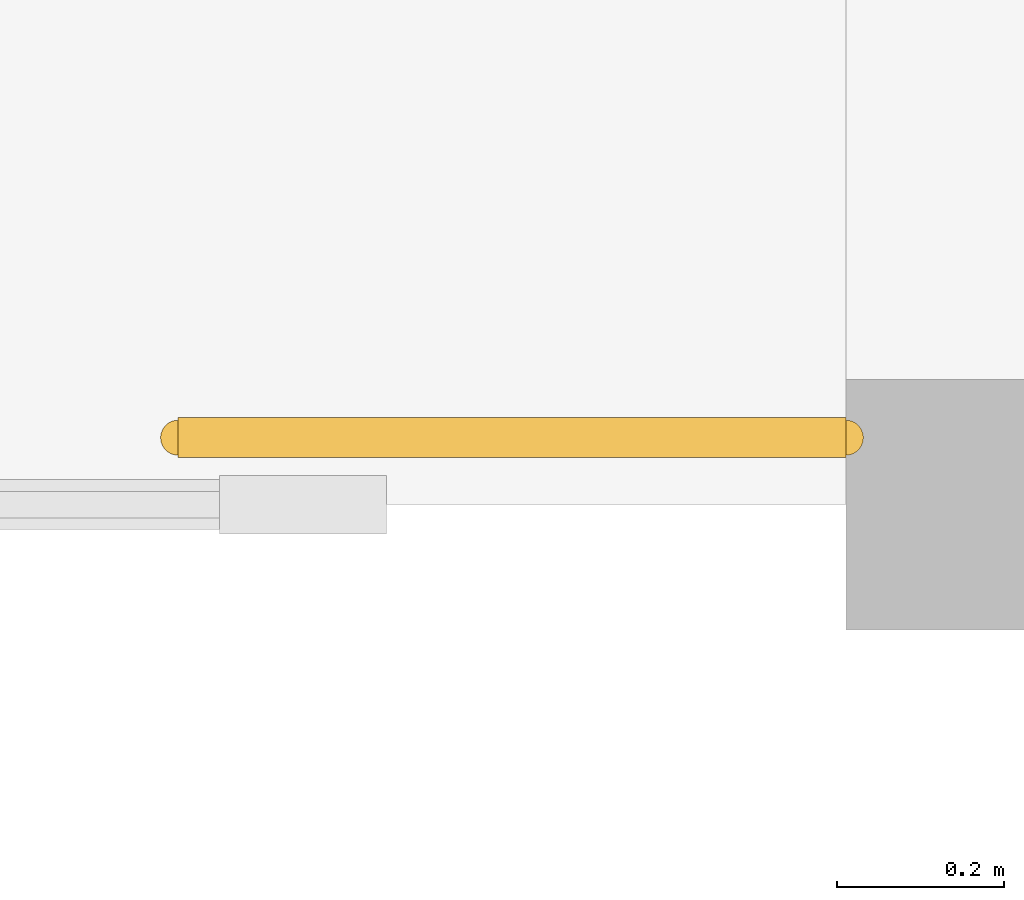
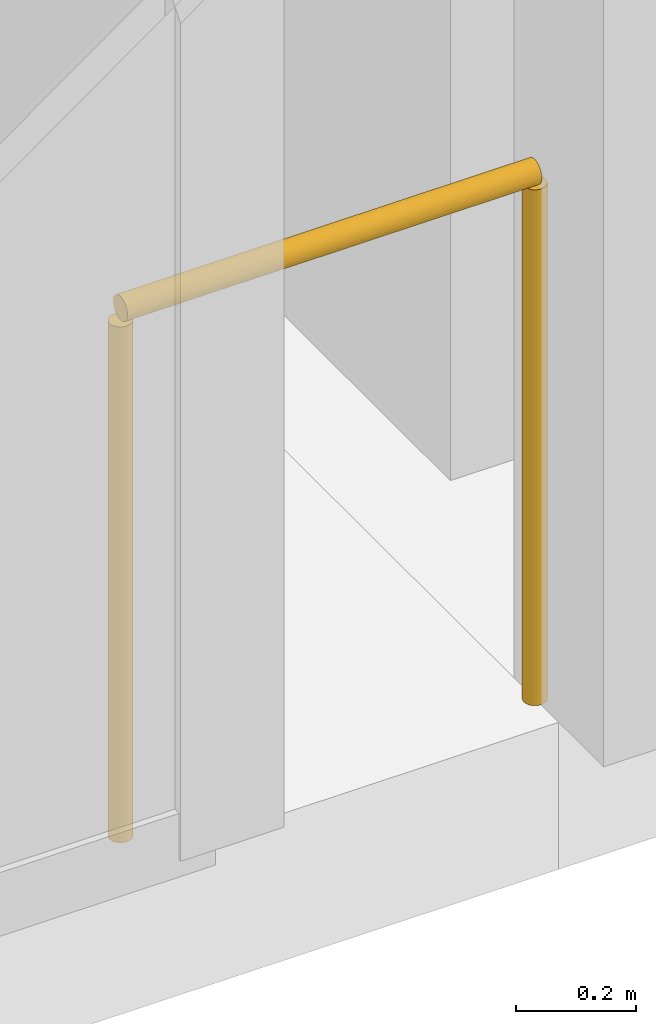
# One storey, part 85 of 104: 1 railing.
"""IFC4 building model written with IfcOpenShell, lengths in metres."""

from ifc_helpers import new_model, si_unit, direction, frame, origin, origin_2d, place, context, subcontext, project, spatial, circle, extrude, material, type_object, element, save


model = new_model("IFC4")

# Units and contexts
model_context = context("Model", 3, precision=1e-05, world=origin(), true_north=direction((0.0, 1.0)))
body_context = subcontext(model_context, "Body", "Model", "MODEL_VIEW")
ifc_project = project(units=[si_unit("LENGTHUNIT", "METRE"), si_unit("AREAUNIT", "SQUARE_METRE"), si_unit("VOLUMEUNIT", "CUBIC_METRE"), si_unit("PLANEANGLEUNIT", "RADIAN"), si_unit("MASSUNIT", "GRAM", prefix="KILO")], contexts=[model_context])

# Site, building, storey
site_placement = place(None, origin())
site = spatial("IfcSite", under=ifc_project, at=site_placement, CompositionType="ELEMENT")
building_placement = place(site_placement, origin())
building = spatial("IfcBuilding", under=site, at=building_placement, Name="Koshinbarg Plaza Stadium", CompositionType="ELEMENT")
storey_placement = place(building_placement, frame((0.0, 0.0, 19.800048828125)))
storey = spatial("IfcBuildingStorey", under=building, at=storey_placement, Name="L04", CompositionType="ELEMENT", Elevation=19.800048828125)

# Railing
ifc_material = material(Name="Toughened laminated glass and stainless steel sightline balustrade", Category="steel")
railing_type = type_object("IfcRailingType", Name="RL-BOWL-1100", PredefinedType="BALUSTRADE", material=ifc_material)
railing_placement = place(storey_placement, frame((122.0, 0.080078125, 0.0)))
element("IfcRailing", 1, at=railing_placement, inside=storey, type_object=railing_type, Name="L04 deck edge safety balustrade 0337", PredefinedType="BALUSTRADE", context=body_context, shape_type="SweptSolid", body=[
    extrude(circle(Radius=0.02392578125, at=origin_2d()), frame((0.0, 0.0, 1.076171875), z_axis=(-1.0, 0.0, 0.0), x_axis=(0.0, -1.0, 0.0)), (0.0, 0.0, 1.0), 0.79931640625),
    extrude(circle(Radius=0.02099609375, at=origin_2d()), origin(), (0.0, 0.0, 1.0), 1.052001953125),
    extrude(circle(Radius=0.02099609375, at=origin_2d()), frame((-0.79931640625, 0.0, 0.0)), (0.0, 0.0, 1.0), 1.052001953125),
])

save(model, "model.ifc")
